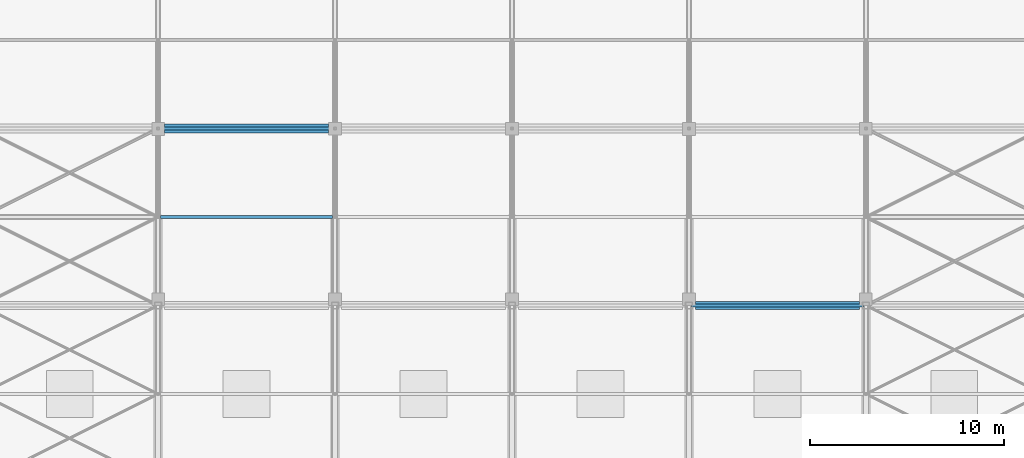
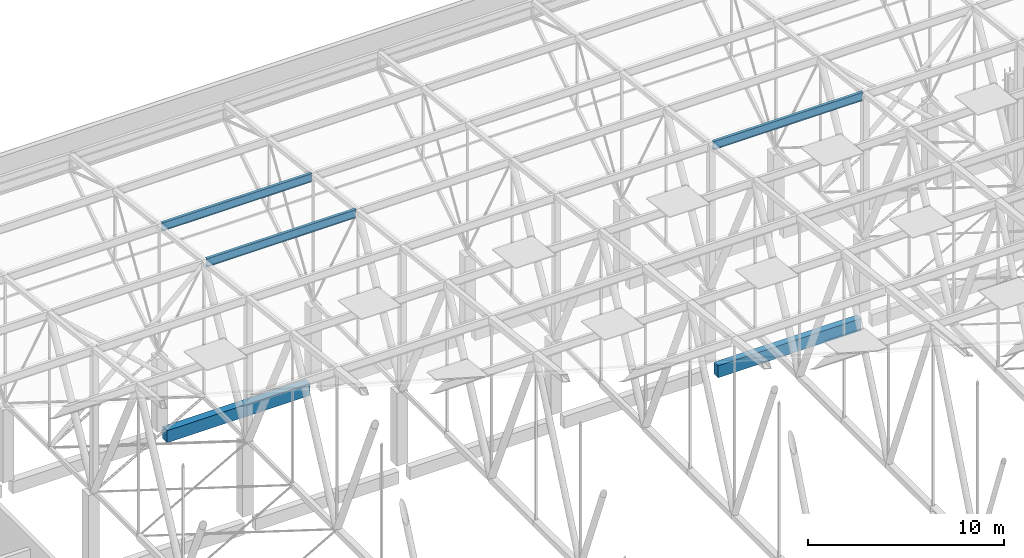
# One storey, part 303 of 500: 3 members, 2 beams.
"""IFC4 building model written with IfcOpenShell, lengths in metres."""

from ifc_helpers import new_model, si_unit, direction, frame, origin, origin_2d, place, context, subcontext, project, spatial, rectangle, i_section, extrude, material, material_profile, profile_set, type_object, element, save


model = new_model("IFC4")

# Units and contexts
model_context = context("Model", 3, precision=1e-05, world=origin(), true_north=direction((0.0, 1.0)))
body_context = subcontext(model_context, "Body", "Model", "MODEL_VIEW")
ifc_project = project(units=[si_unit("LENGTHUNIT", "METRE"), si_unit("AREAUNIT", "SQUARE_METRE"), si_unit("VOLUMEUNIT", "CUBIC_METRE"), si_unit("PLANEANGLEUNIT", "RADIAN"), si_unit("MASSUNIT", "GRAM", prefix="KILO")], contexts=[model_context])

# Site, building, storey
site_placement = place(None, origin())
site = spatial("IfcSite", under=ifc_project, at=site_placement, CompositionType="ELEMENT")
building_placement = place(site_placement, origin())
building = spatial("IfcBuilding", under=site, at=building_placement, Name="Shirokan Park Arena", CompositionType="ELEMENT")
storey_placement = place(building_placement, frame((0.0, 0.0, 29.1201171875)))
storey = spatial("IfcBuildingStorey", under=building, at=storey_placement, Name="L06", CompositionType="ELEMENT", Elevation=29.1201171875)

# Members
ifc_material_1 = material(Name="Steel ASTM A992", Category="steel")
ifc_material_profile_1 = material_profile(ifc_material_1, i_section(OverallWidth=0.166015625, OverallDepth=0.528076171875, WebThickness=0.009765625, FlangeThickness=0.013671875, at=origin_2d()), Name="W530X74")
ifc_profile_set_1 = profile_set([ifc_material_profile_1], Name="Steel ASTM A992")
member_type = type_object("IfcMemberType", Name="Purlin W530X74", PredefinedType="PURLIN", material=ifc_profile_set_1)
for number, where, z_axis, x_axis, name in (
    (1, (82.027099609375, 100.10009765625, 13.52587890625), (1.0, 0.0, 0.0), (0.0, 1.0, 0.0), "Purlin 25 bay 10"),
    (2, (54.72705078125, 104.64990234375, 13.005859375), (1.0, 0.0, 0.0), (0.0, 1.0, 0.0), "Purlin 26 bay 7"),
    (3, (54.72705078125, 109.199951171875, 12.48583984375), (1.0, 0.0, 0.0), (0.0, 1.0, 0.0), "Purlin 27 bay 7"),
):
    element("IfcMember", number, at=place(storey_placement, frame(where, z_axis=z_axis, x_axis=x_axis)), inside=storey, type_object=member_type, Name=name, PredefinedType="PURLIN", context=body_context, shape_type="SweptSolid", body=[
        extrude(i_section(OverallWidth=0.166015625, OverallDepth=0.528076171875, WebThickness=0.009765625, FlangeThickness=0.013671875, at=origin_2d()), origin(), (0.0, 0.0, 1.0), 8.845947265625),
    ])

# Beams
ifc_material_2 = material(Name="Concrete C35", Category="concrete")
ifc_material_profile_2 = material_profile(ifc_material_2, rectangle(XDim=0.39990234375, YDim=0.75, at=origin_2d()), Name="400x750")
ifc_profile_set_2 = profile_set([ifc_material_profile_2], Name="Concrete C35")
beam_type_1 = type_object("IfcBeamType", Name="RC girder 400x750", PredefinedType="BEAM", material=ifc_profile_set_2)
beam_1_placement = place(storey_placement, frame((82.22509765625, 100.10009765625, -0.5751953125), z_axis=(1.0, 0.0, 0.0), x_axis=(0.0, 1.0, 0.0)))
element("IfcBeam", 4, at=beam_1_placement, inside=storey, type_object=beam_type_1, Name="Girder 10M-11M L06", PredefinedType="BEAM", context=body_context, shape_type="SweptSolid", body=[
    extrude(rectangle(XDim=0.39990234375, YDim=0.75, at=origin_2d()), origin(), (0.0, 0.0, 1.0), 8.44970703125),
])
ifc_material_profile_3 = material_profile(ifc_material_2, rectangle(XDim=0.449951171875, YDim=0.75, at=origin_2d()), Name="450x750")
ifc_profile_set_3 = profile_set([ifc_material_profile_3], Name="Concrete C35")
beam_type_2 = type_object("IfcBeamType", Name="RC girder 450x750", PredefinedType="BEAM", material=ifc_profile_set_3)
beam_2_placement = place(storey_placement, frame((54.925048828125, 109.199951171875, -0.5751953125), z_axis=(1.0, 0.0, 0.0), x_axis=(0.0, 1.0, 0.0)))
element("IfcBeam", 5, at=beam_2_placement, inside=storey, type_object=beam_type_2, Name="Girder 7N-8N L06", PredefinedType="BEAM", context=body_context, shape_type="SweptSolid", body=[
    extrude(rectangle(XDim=0.449951171875, YDim=0.75, at=origin_2d()), origin(), (0.0, 0.0, 1.0), 8.449951171875),
])

save(model, "model.ifc")
